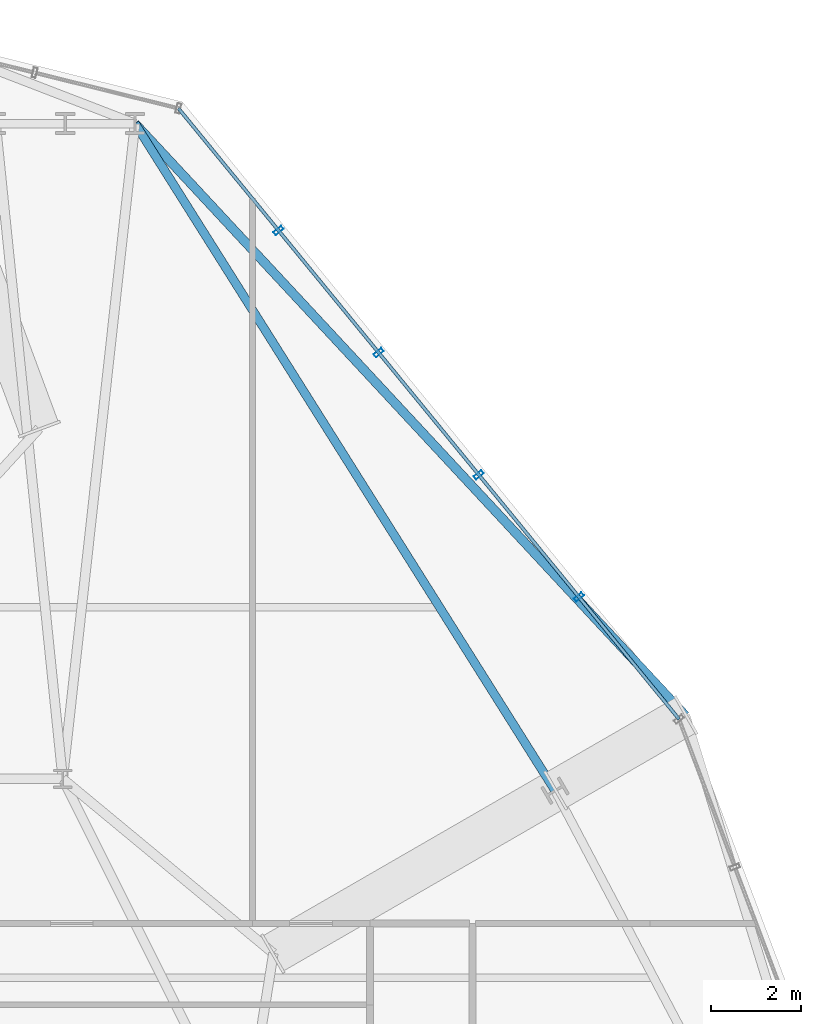
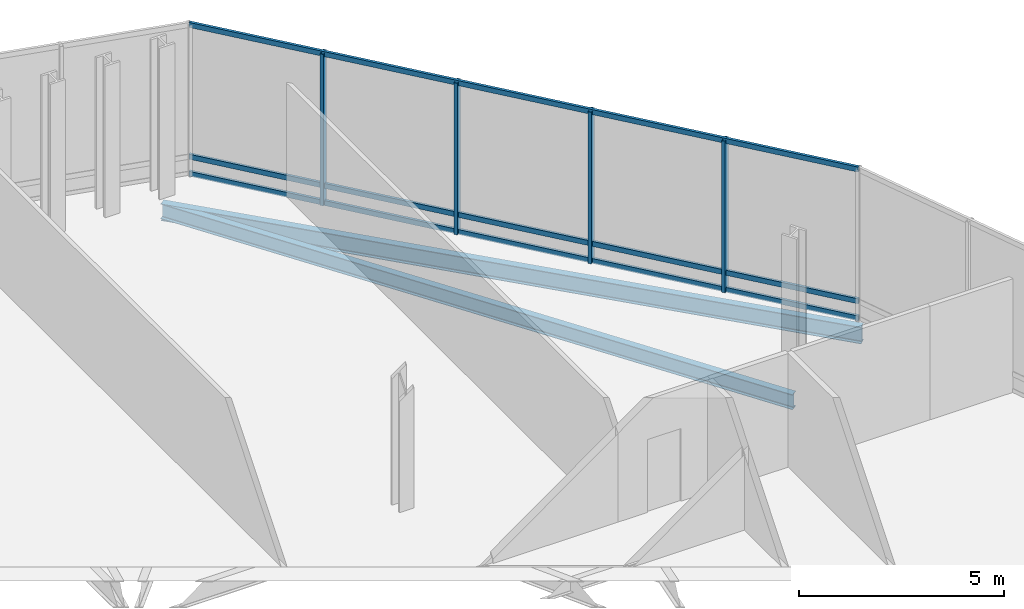
# One storey, part 18 of 26: 7 members, 2 beams, 1 element without a shape of its own.
"""IFC4 building model written with IfcOpenShell, lengths in metres."""

from ifc_helpers import new_model, si_unit, direction, frame, origin, origin_2d, place, context, subcontext, project, spatial, hollow_rectangle, i_section, extrude, material, layer, layer_set, material_profile, profile_set, type_object, element, aggregate, save


model = new_model("IFC4")

# Units and contexts
model_context = context("Model", 3, precision=1e-05, world=origin(), true_north=direction((0.0, 1.0)))
body_context = subcontext(model_context, "Body", "Model", "MODEL_VIEW")
ifc_project = project(units=[si_unit("LENGTHUNIT", "METRE"), si_unit("AREAUNIT", "SQUARE_METRE"), si_unit("VOLUMEUNIT", "CUBIC_METRE"), si_unit("PLANEANGLEUNIT", "RADIAN"), si_unit("MASSUNIT", "GRAM", prefix="KILO")], contexts=[model_context])

# Site, building, storey
site_placement = place(None, origin())
site = spatial("IfcSite", under=ifc_project, at=site_placement, CompositionType="ELEMENT")
building_placement = place(site_placement, origin())
building = spatial("IfcBuilding", under=site, at=building_placement, Name="Ndaravel Arena Tower", CompositionType="ELEMENT")
storey_placement = place(building_placement, frame((0.0, 0.0, 117.39990234375)))
storey = spatial("IfcBuildingStorey", under=building, at=storey_placement, Name="L27", CompositionType="ELEMENT", Elevation=117.39990234375)

# Beams
ifc_material_1 = material(Name="Steel S355", Category="steel")
ifc_material_profile_1 = material_profile(ifc_material_1, i_section(OverallWidth=0.18994140625, OverallDepth=0.449951171875, WebThickness=0.009521484375, FlangeThickness=0.0146484375, FilletRadius=0.02099609375, at=origin_2d()), Name="IPE 450")
ifc_profile_set_1 = profile_set([ifc_material_profile_1], Name="Steel S355")
beam_type_1 = type_object("IfcBeamType", Name="BM-SPAN-IPE450", PredefinedType="SPANDREL", material=ifc_profile_set_1)
beam_1_placement = place(storey_placement, frame((56.6982421875, 30.938232421875, -0.5048828125), z_axis=(-0.532796941141, 0.846243120806, 0.0), x_axis=(-0.846243120806, -0.532796941141, 0.0)))
element("IfcBeam", 1, at=beam_1_placement, inside=storey, type_object=beam_type_1, Name="L27 Perimeter Spandrel Beam SP-10", PredefinedType="SPANDREL", context=body_context, shape_type="SweptSolid", body=[
    extrude(i_section(OverallWidth=0.18994140625, OverallDepth=0.449951171875, WebThickness=0.009521484375, FlangeThickness=0.0146484375, FilletRadius=0.02099609375, at=origin_2d()), origin(), (0.0, 0.0, 1.0), 17.44873046875),
])
ifc_material_2 = material(Name="Steel S355", Category="steel")
ifc_material_profile_2 = material_profile(ifc_material_2, i_section(OverallWidth=0.199951171875, OverallDepth=0.5, WebThickness=0.01025390625, FlangeThickness=0.01611328125, FilletRadius=0.02099609375, at=origin_2d()), Name="IPE 500")
ifc_profile_set_2 = profile_set([ifc_material_profile_2], Name="Steel S355")
beam_type_2 = type_object("IfcBeamType", Name="BM-SPAN-IPE500", PredefinedType="SPANDREL", material=ifc_profile_set_2)
beam_2_placement = place(storey_placement, frame((59.582275390625, 32.603271484375, -0.52978515625), z_axis=(-0.680919474805, 0.732358292662, 0.0), x_axis=(-0.732358292662, -0.680919474805, 0.0)))
element("IfcBeam", 2, at=beam_2_placement, inside=storey, type_object=beam_type_2, Name="L27 Star Facet Edge Beam SEB-4", PredefinedType="SPANDREL", context=body_context, shape_type="SweptSolid", body=[
    extrude(i_section(OverallWidth=0.199951171875, OverallDepth=0.5, WebThickness=0.01025390625, FlangeThickness=0.01611328125, FilletRadius=0.02099609375, at=origin_2d()), origin(), (0.0, 0.0, 1.0), 17.888671875),
])

# Curtain wall, members
ifc_material_3 = material(Name="Aluminium", Category="aluminium")
ifc_layer = layer(ifc_material_3, 0.179931640625)
ifc_layer_set = layer_set([ifc_layer], Name="Aluminium")
curtain_wall_type = type_object("IfcCurtainWallType", Name="CW-SYS-04", PredefinedType="NOTDEFINED", material=ifc_layer_set)
curtain_wall_placement = place(storey_placement, origin())
curtain_wall = element("IfcCurtainWall", 3, at=curtain_wall_placement, inside=storey, type_object=curtain_wall_type, Name="L27 Faceted Crystal Curtain Wall CW-L27-E07", PredefinedType="NOTDEFINED")
ifc_material_4 = material(Name="Aluminium", Category="aluminium")
ifc_material_profile_3 = material_profile(ifc_material_4, hollow_rectangle(XDim=0.090087890625, YDim=0.219970703125, WallThickness=0.0048828125, at=origin_2d()), Name="CW MULLION 90x220x5")
ifc_profile_set_3 = profile_set([ifc_material_profile_3], Name="Aluminium")
member_type_1 = type_object("IfcMemberType", Name="MEM-CW-MUL220", PredefinedType="MULLION", material=ifc_profile_set_3)
member_1_placement = place(storey_placement, frame((57.2255859375, 35.22607421875, 0.0), z_axis=(0.0, 0.0, 1.0), x_axis=(-0.633934458857, 0.773386773791, 0.0)))
member_1 = element("IfcMember", 4, at=member_1_placement, type_object=member_type_1, Name="CW-L27-E07 Mullion 01", PredefinedType="MULLION", context=body_context, shape_type="SweptSolid", body=[
    extrude(hollow_rectangle(XDim=0.090087890625, YDim=0.219970703125, WallThickness=0.0048828125, at=origin_2d()), origin(), (0.0, 0.0, 1.0), 4.52001953125),
])
member_2_placement = place(storey_placement, frame((55.00927734375, 37.929931640625, 0.0), z_axis=(0.0, 0.0, 1.0), x_axis=(-0.633934458857, 0.773386773791, 0.0)))
member_2 = element("IfcMember", 5, at=member_2_placement, type_object=member_type_1, Name="CW-L27-E07 Mullion 02", PredefinedType="MULLION", context=body_context, shape_type="SweptSolid", body=[
    extrude(hollow_rectangle(XDim=0.090087890625, YDim=0.219970703125, WallThickness=0.0048828125, at=origin_2d()), origin(), (0.0, 0.0, 1.0), 4.52001953125),
])
member_3_placement = place(storey_placement, frame((52.79296875, 40.6337890625, 0.0), z_axis=(0.0, 0.0, 1.0), x_axis=(-0.633934458857, 0.773386773791, 0.0)))
member_3 = element("IfcMember", 6, at=member_3_placement, type_object=member_type_1, Name="CW-L27-E07 Mullion 03", PredefinedType="MULLION", context=body_context, shape_type="SweptSolid", body=[
    extrude(hollow_rectangle(XDim=0.090087890625, YDim=0.219970703125, WallThickness=0.0048828125, at=origin_2d()), origin(), (0.0, 0.0, 1.0), 4.52001953125),
])
member_4_placement = place(storey_placement, frame((50.57666015625, 43.337646484375, 0.0), z_axis=(0.0, 0.0, 1.0), x_axis=(-0.633934458857, 0.773386773791, 0.0)))
member_4 = element("IfcMember", 7, at=member_4_placement, type_object=member_type_1, Name="CW-L27-E07 Mullion 04", PredefinedType="MULLION", context=body_context, shape_type="SweptSolid", body=[
    extrude(hollow_rectangle(XDim=0.090087890625, YDim=0.219970703125, WallThickness=0.0048828125, at=origin_2d()), origin(), (0.0, 0.0, 1.0), 4.52001953125),
])
ifc_material_5 = material(Name="Aluminium", Category="aluminium")
ifc_material_profile_4 = material_profile(ifc_material_5, hollow_rectangle(XDim=0.074951171875, YDim=0.14990234375, WallThickness=0.00390625, at=origin_2d()), Name="CW TRANSOM 75x150x4")
ifc_profile_set_4 = profile_set([ifc_material_profile_4], Name="Aluminium")
member_type_2 = type_object("IfcMemberType", Name="MEM-CW-TRN150", PredefinedType="USERDEFINED", material=ifc_profile_set_4)
member_5_placement = place(storey_placement, frame((59.44189453125, 32.522216796875, 0.0400390625), z_axis=(-0.633933432757, 0.773387614869, 0.0), x_axis=(-0.773387614869, -0.633933432757, 0.0)))
member_5 = element("IfcMember", 8, at=member_5_placement, type_object=member_type_2, Name="CW-L27-E07 Transom 01", ObjectType="TRANSOM", PredefinedType="USERDEFINED", context=body_context, shape_type="SweptSolid", body=[
    extrude(hollow_rectangle(XDim=0.074951171875, YDim=0.14990234375, WallThickness=0.00390625, at=origin_2d()), origin(), (0.0, 0.0, 1.0), 17.480712890625),
])
member_6_placement = place(storey_placement, frame((59.44189453125, 32.522216796875, 0.550048828125), z_axis=(-0.633933432757, 0.773387614869, 0.0), x_axis=(-0.773387614869, -0.633933432757, 0.0)))
member_6 = element("IfcMember", 9, at=member_6_placement, type_object=member_type_2, Name="CW-L27-E07 Transom 02", ObjectType="TRANSOM", PredefinedType="USERDEFINED", context=body_context, shape_type="SweptSolid", body=[
    extrude(hollow_rectangle(XDim=0.074951171875, YDim=0.14990234375, WallThickness=0.00390625, at=origin_2d()), origin(), (0.0, 0.0, 1.0), 17.480712890625),
])
member_7_placement = place(storey_placement, frame((59.44189453125, 32.522216796875, 4.47998046875), z_axis=(-0.633933432757, 0.773387614869, 0.0), x_axis=(-0.773387614869, -0.633933432757, 0.0)))
member_7 = element("IfcMember", 10, at=member_7_placement, type_object=member_type_2, Name="CW-L27-E07 Transom 03", ObjectType="TRANSOM", PredefinedType="USERDEFINED", context=body_context, shape_type="SweptSolid", body=[
    extrude(hollow_rectangle(XDim=0.074951171875, YDim=0.14990234375, WallThickness=0.00390625, at=origin_2d()), origin(), (0.0, 0.0, 1.0), 17.480712890625),
])
aggregate(curtain_wall, [member_1, member_2, member_3, member_4, member_5, member_6, member_7])

save(model, "model.ifc")
